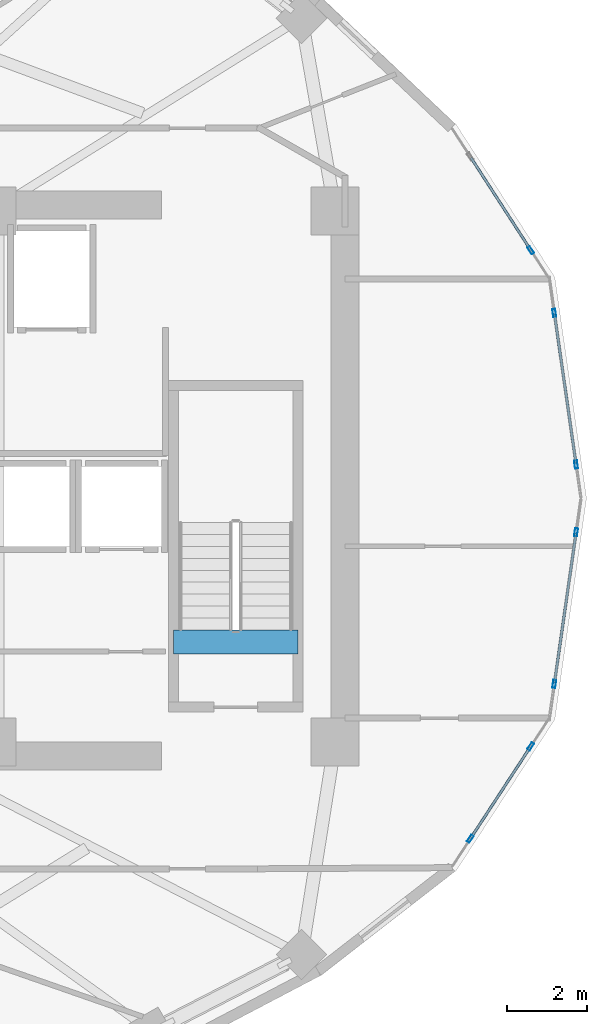
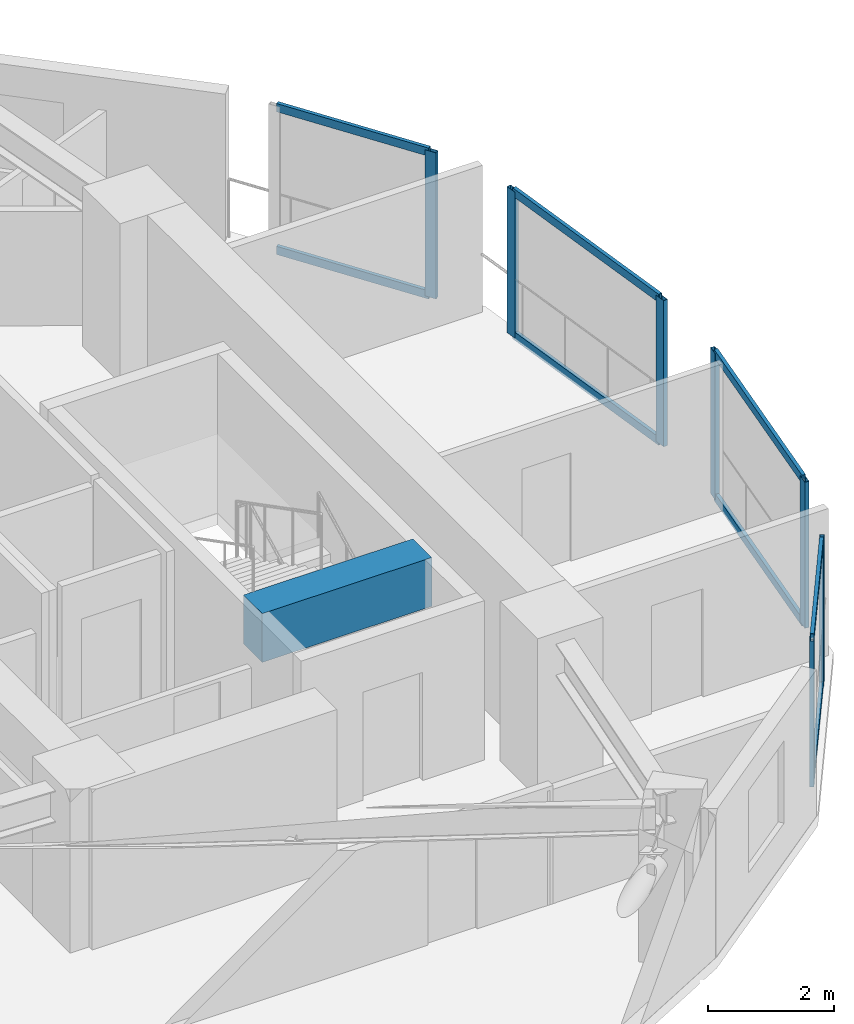
# One storey, part 3 of 13: 15 members, 1 beam, 4 elements without a shape of their own.
"""IFC4 building model written with IfcOpenShell, lengths in metres."""

from ifc_helpers import new_model, si_unit, direction, frame, origin, origin_2d, place, context, subcontext, project, spatial, rectangle, hollow_rectangle, extrude, material, layer, layer_set, material_profile, profile_set, type_object, element, aggregate, save


model = new_model("IFC4")

# Units and contexts
model_context = context("Model", 3, precision=1e-05, world=origin(), true_north=direction((0.0, 1.0)))
body_context = subcontext(model_context, "Body", "Model", "MODEL_VIEW")
ifc_project = project(units=[si_unit("LENGTHUNIT", "METRE"), si_unit("AREAUNIT", "SQUARE_METRE"), si_unit("VOLUMEUNIT", "CUBIC_METRE"), si_unit("PLANEANGLEUNIT", "RADIAN"), si_unit("MASSUNIT", "GRAM", prefix="KILO")], contexts=[model_context])

# Site, building, storey
site_placement = place(None, origin())
site = spatial("IfcSite", under=ifc_project, at=site_placement, CompositionType="ELEMENT")
building_placement = place(site_placement, origin())
building = spatial("IfcBuilding", under=site, at=building_placement, Name="Solvane Sanctuary Tower", CompositionType="ELEMENT")
storey_placement = place(building_placement, frame((0.0, 0.0, 156.0)))
storey = spatial("IfcBuildingStorey", under=building, at=storey_placement, Name="L47", CompositionType="ELEMENT", Elevation=156.0)

# Beam
ifc_material_1 = material(Name="Concrete C70/85", Category="concrete")
ifc_material_profile_1 = material_profile(ifc_material_1, rectangle(XDim=0.60009765625, YDim=0.949951171875, at=origin_2d()), Name="RC600X950")
ifc_profile_set_1 = profile_set([ifc_material_profile_1], Name="Concrete C70/85")
beam_type = type_object("IfcBeamType", Name="Beam B-COUPLE RC600X950", PredefinedType="LINTEL", material=ifc_profile_set_1)
beam_placement = place(storey_placement, frame((44.64990234375, 19.399169921875, 2.625), z_axis=(1.0, 0.0, 0.0), x_axis=(0.0, 1.0, 0.0)))
element("IfcBeam", 1, at=beam_placement, inside=storey, type_object=beam_type, Name="L47 ST-2 Stair Floor Landing Trimmer", PredefinedType="LINTEL", context=body_context, shape_type="SweptSolid", body=[
    extrude(rectangle(XDim=0.60009765625, YDim=0.949951171875, at=origin_2d()), origin(), (0.0, 0.0, 1.0), 3.1201171875),
])

# Curtain wall, members
ifc_material_2 = material(Name="Anodised Aluminium 6063-T6", Category="aluminium")
ifc_layer = layer(ifc_material_2, 0.2099609375, Name="Anodised Aluminium 6063-T6")
ifc_layer_set = layer_set([ifc_layer], Name="Anodised Aluminium 6063-T6")
curtain_wall_type = type_object("IfcCurtainWallType", Name="Curtain Wall CW-PORTAL", PredefinedType="NOTDEFINED", material=ifc_layer_set)
curtain_wall_1_placement = place(storey_placement, origin())
curtain_wall_1 = element("IfcCurtainWall", 2, at=curtain_wall_1_placement, inside=storey, type_object=curtain_wall_type, Name="L47 CW-PORTAL Facade Run 00", PredefinedType="NOTDEFINED")
ifc_material_profile_2 = material_profile(ifc_material_2, hollow_rectangle(XDim=0.074951171875, YDim=0.199951171875, WallThickness=0.00390625, at=origin_2d()), Name="ALU200X75X4")
ifc_profile_set_2 = profile_set([ifc_material_profile_2], Name="Anodised Aluminium 6063-T6")
member_type_1 = type_object("IfcMemberType", Name="Member M-CW-MUL-1 ALU200X75X4", PredefinedType="MULLION", material=ifc_profile_set_2)
member_1_placement = place(storey_placement, frame((54.738037109375, 23.848876953125, 0.0), z_axis=(0.0, 0.0, 1.0), x_axis=(-0.989831077342, -0.142247806053, 0.0)))
member_1 = element("IfcMember", 3, at=member_1_placement, type_object=member_type_1, Name="CW-PORTAL mullion 1", PredefinedType="MULLION", context=body_context, shape_type="SweptSolid", body=[
    extrude(hollow_rectangle(XDim=0.074951171875, YDim=0.199951171875, WallThickness=0.00390625, at=origin_2d()), origin(), (0.0, 0.0, 1.0), 2.840087890625),
])
member_2_placement = place(storey_placement, frame((54.192138671875, 27.647705078125, 0.0), z_axis=(0.0, 0.0, 1.0), x_axis=(-0.989831077342, -0.142247806053, 0.0)))
member_2 = element("IfcMember", 4, at=member_2_placement, type_object=member_type_1, Name="CW-PORTAL mullion 2", PredefinedType="MULLION", context=body_context, shape_type="SweptSolid", body=[
    extrude(hollow_rectangle(XDim=0.074951171875, YDim=0.199951171875, WallThickness=0.00390625, at=origin_2d()), origin(), (0.0, 0.0, 1.0), 2.840087890625),
])

# Curtain wall, member
curtain_wall_2_placement = place(storey_placement, origin())
curtain_wall_2 = element("IfcCurtainWall", 5, at=curtain_wall_2_placement, inside=storey, type_object=curtain_wall_type, Name="L47 CW-PORTAL Facade Run 01", PredefinedType="NOTDEFINED")
member_3_placement = place(storey_placement, frame((53.604248046875, 29.21630859375, 0.0), z_axis=(0.0, 0.0, 1.0), x_axis=(-0.839512220128, -0.543340806728, 0.0)))
member_3 = element("IfcMember", 6, at=member_3_placement, type_object=member_type_1, Name="CW-PORTAL mullion 1", PredefinedType="MULLION", context=body_context, shape_type="SweptSolid", body=[
    extrude(hollow_rectangle(XDim=0.074951171875, YDim=0.199951171875, WallThickness=0.00390625, at=origin_2d()), origin(), (0.0, 0.0, 1.0), 2.840087890625),
])

# Curtain wall, members
curtain_wall_3_placement = place(storey_placement, origin())
curtain_wall_3 = element("IfcCurtainWall", 7, at=curtain_wall_3_placement, inside=storey, type_object=curtain_wall_type, Name="L47 CW-PORTAL Facade Run 22", PredefinedType="NOTDEFINED")
member_4_placement = place(storey_placement, frame((52.088623046875, 14.47412109375, 0.0), z_axis=(0.0, 0.0, 1.0), x_axis=(-0.836849767027, 0.547432614507, 0.0)))
member_4 = element("IfcMember", 8, at=member_4_placement, type_object=member_type_1, Name="CW-PORTAL mullion 1", PredefinedType="MULLION", context=body_context, shape_type="SweptSolid", body=[
    extrude(hollow_rectangle(XDim=0.074951171875, YDim=0.199951171875, WallThickness=0.00390625, at=origin_2d()), origin(), (0.0, 0.0, 1.0), 2.840087890625),
])
member_5_placement = place(storey_placement, frame((53.600830078125, 16.785888671875, 0.0), z_axis=(0.0, 0.0, 1.0), x_axis=(-0.836849767027, 0.547432614507, 0.0)))
member_5 = element("IfcMember", 9, at=member_5_placement, type_object=member_type_1, Name="CW-PORTAL mullion 2", PredefinedType="MULLION", context=body_context, shape_type="SweptSolid", body=[
    extrude(hollow_rectangle(XDim=0.074951171875, YDim=0.199951171875, WallThickness=0.00390625, at=origin_2d()), origin(), (0.0, 0.0, 1.0), 2.840087890625),
])

curtain_wall_4_placement = place(storey_placement, origin())
curtain_wall_4 = element("IfcCurtainWall", 10, at=curtain_wall_4_placement, inside=storey, type_object=curtain_wall_type, Name="L47 CW-PORTAL Facade Run 23", PredefinedType="NOTDEFINED")
member_6_placement = place(storey_placement, frame((54.192138671875, 18.352294921875, 0.0), z_axis=(0.0, 0.0, 1.0), x_axis=(-0.989831077342, 0.142247806053, 0.0)))
member_6 = element("IfcMember", 11, at=member_6_placement, type_object=member_type_1, Name="CW-PORTAL mullion 1", PredefinedType="MULLION", context=body_context, shape_type="SweptSolid", body=[
    extrude(hollow_rectangle(XDim=0.074951171875, YDim=0.199951171875, WallThickness=0.00390625, at=origin_2d()), origin(), (0.0, 0.0, 1.0), 2.840087890625),
])
member_7_placement = place(storey_placement, frame((54.738037109375, 22.151123046875, 0.0), z_axis=(0.0, 0.0, 1.0), x_axis=(-0.989831077342, 0.142247806053, 0.0)))
member_7 = element("IfcMember", 12, at=member_7_placement, type_object=member_type_1, Name="CW-PORTAL mullion 2", PredefinedType="MULLION", context=body_context, shape_type="SweptSolid", body=[
    extrude(hollow_rectangle(XDim=0.074951171875, YDim=0.199951171875, WallThickness=0.00390625, at=origin_2d()), origin(), (0.0, 0.0, 1.0), 2.840087890625),
])

# Member
ifc_material_profile_3 = material_profile(ifc_material_2, hollow_rectangle(XDim=0.06494140625, YDim=0.159912109375, WallThickness=0.00341796875, at=origin_2d()), Name="ALU160X65X3.5")
ifc_profile_set_3 = profile_set([ifc_material_profile_3], Name="Anodised Aluminium 6063-T6")
member_type_2 = type_object("IfcMemberType", Name="Member M-CW-TRN-1 ALU160X65X3.5", PredefinedType="USERDEFINED", material=ifc_profile_set_3)
member_8_placement = place(storey_placement, frame((54.732666015625, 23.885986328125, 0.032470703125), z_axis=(-0.142220652488, 0.989834979179, 0.0), x_axis=(-0.989834979179, -0.142220652488, 0.0)))
member_8 = element("IfcMember", 13, at=member_8_placement, type_object=member_type_2, Name="CW-PORTAL transom 1.1", ObjectType="TRANSOM", PredefinedType="USERDEFINED", context=body_context, shape_type="SweptSolid", body=[
    extrude(hollow_rectangle(XDim=0.06494140625, YDim=0.159912109375, WallThickness=0.00341796875, at=origin_2d()), origin(), (0.0, 0.0, 1.0), 3.762939453125),
])

member_9_placement = place(storey_placement, frame((54.732666015625, 23.885986328125, 2.8076171875), z_axis=(-0.142220652488, 0.989834979179, 0.0), x_axis=(-0.989834979179, -0.142220652488, 0.0)))
member_9 = element("IfcMember", 14, at=member_9_placement, type_object=member_type_2, Name="CW-PORTAL transom 1.2", ObjectType="TRANSOM", PredefinedType="USERDEFINED", context=body_context, shape_type="SweptSolid", body=[
    extrude(hollow_rectangle(XDim=0.06494140625, YDim=0.159912109375, WallThickness=0.00341796875, at=origin_2d()), origin(), (0.0, 0.0, 1.0), 3.762939453125),
])

aggregate(curtain_wall_1, [member_1, member_2, member_8, member_9])

member_10_placement = place(storey_placement, frame((53.583984375, 29.247802734375, 0.032470703125), z_axis=(-0.543303354551, 0.83953645837, 0.0), x_axis=(-0.83953645837, -0.543303354551, 0.0)))
member_10 = element("IfcMember", 15, at=member_10_placement, type_object=member_type_2, Name="CW-PORTAL transom 1.1", ObjectType="TRANSOM", PredefinedType="USERDEFINED", context=body_context, shape_type="SweptSolid", body=[
    extrude(hollow_rectangle(XDim=0.06494140625, YDim=0.159912109375, WallThickness=0.00341796875, at=origin_2d()), origin(), (0.0, 0.0, 1.0), 2.721435546875),
])

member_11_placement = place(storey_placement, frame((53.583984375, 29.247802734375, 2.8076171875), z_axis=(-0.543303354551, 0.83953645837, 0.0), x_axis=(-0.83953645837, -0.543303354551, 0.0)))
member_11 = element("IfcMember", 16, at=member_11_placement, type_object=member_type_2, Name="CW-PORTAL transom 1.2", ObjectType="TRANSOM", PredefinedType="USERDEFINED", context=body_context, shape_type="SweptSolid", body=[
    extrude(hollow_rectangle(XDim=0.06494140625, YDim=0.159912109375, WallThickness=0.00341796875, at=origin_2d()), origin(), (0.0, 0.0, 1.0), 2.721435546875),
])

aggregate(curtain_wall_2, [member_3, member_10, member_11])

member_12_placement = place(storey_placement, frame((52.109130859375, 14.505615234375, 0.032470703125), z_axis=(0.547425578681, 0.836854369533, 0.0), x_axis=(-0.836854369533, 0.547425578681, 0.0)))
member_12 = element("IfcMember", 17, at=member_12_placement, type_object=member_type_2, Name="CW-PORTAL transom 1.1", ObjectType="TRANSOM", PredefinedType="USERDEFINED", context=body_context, shape_type="SweptSolid", body=[
    extrude(hollow_rectangle(XDim=0.06494140625, YDim=0.159912109375, WallThickness=0.00341796875, at=origin_2d()), origin(), (0.0, 0.0, 1.0), 2.6875),
])

member_13_placement = place(storey_placement, frame((52.109130859375, 14.505615234375, 2.8076171875), z_axis=(0.547425578681, 0.836854369533, 0.0), x_axis=(-0.836854369533, 0.547425578681, 0.0)))
member_13 = element("IfcMember", 18, at=member_13_placement, type_object=member_type_2, Name="CW-PORTAL transom 1.2", ObjectType="TRANSOM", PredefinedType="USERDEFINED", context=body_context, shape_type="SweptSolid", body=[
    extrude(hollow_rectangle(XDim=0.06494140625, YDim=0.159912109375, WallThickness=0.00341796875, at=origin_2d()), origin(), (0.0, 0.0, 1.0), 2.6875),
])

aggregate(curtain_wall_3, [member_4, member_5, member_12, member_13])

member_14_placement = place(storey_placement, frame((54.197509765625, 18.389404296875, 0.032470703125), z_axis=(0.142220652488, 0.989834979179, 0.0), x_axis=(-0.989834979179, 0.142220652488, 0.0)))
member_14 = element("IfcMember", 19, at=member_14_placement, type_object=member_type_2, Name="CW-PORTAL transom 1.1", ObjectType="TRANSOM", PredefinedType="USERDEFINED", context=body_context, shape_type="SweptSolid", body=[
    extrude(hollow_rectangle(XDim=0.06494140625, YDim=0.159912109375, WallThickness=0.00341796875, at=origin_2d()), origin(), (0.0, 0.0, 1.0), 3.762939453125),
])

member_15_placement = place(storey_placement, frame((54.197509765625, 18.389404296875, 2.8076171875), z_axis=(0.142220652488, 0.989834979179, 0.0), x_axis=(-0.989834979179, 0.142220652488, 0.0)))
member_15 = element("IfcMember", 20, at=member_15_placement, type_object=member_type_2, Name="CW-PORTAL transom 1.2", ObjectType="TRANSOM", PredefinedType="USERDEFINED", context=body_context, shape_type="SweptSolid", body=[
    extrude(hollow_rectangle(XDim=0.06494140625, YDim=0.159912109375, WallThickness=0.00341796875, at=origin_2d()), origin(), (0.0, 0.0, 1.0), 3.762939453125),
])

aggregate(curtain_wall_4, [member_6, member_7, member_14, member_15])

save(model, "model.ifc")
